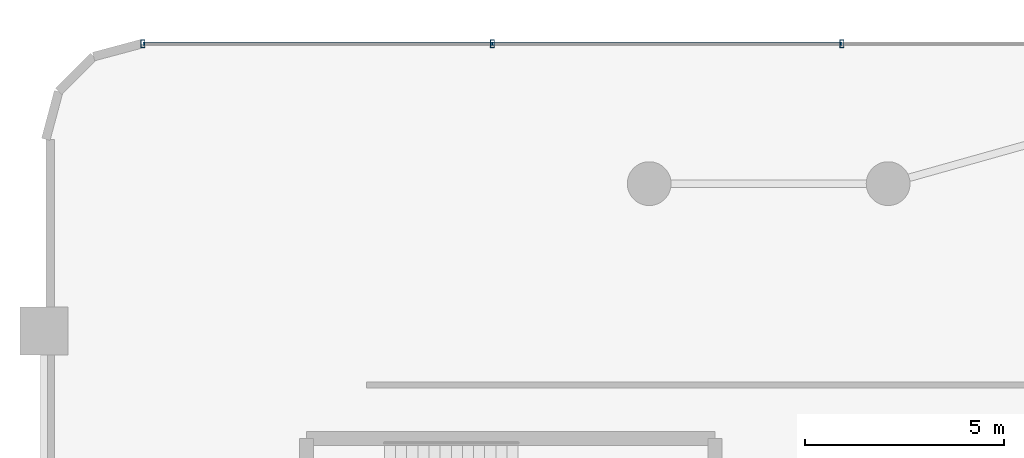
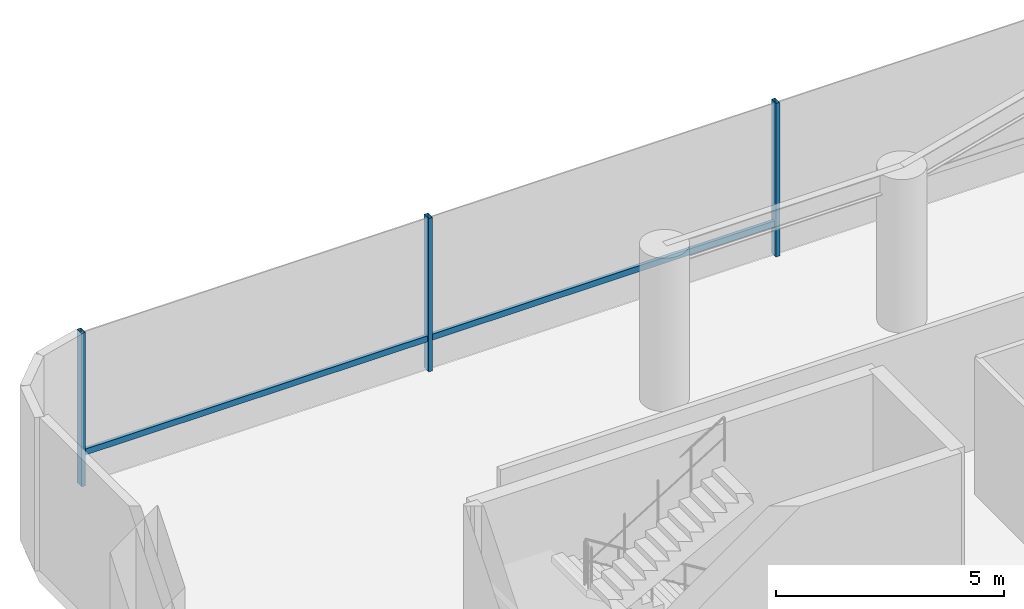
# One storey, part 9 of 23: 5 members, 1 element without a shape of its own.
"""IFC4 building model written with IfcOpenShell, lengths in metres."""

from ifc_helpers import new_model, si_unit, direction, frame, origin, origin_2d, place, context, subcontext, project, spatial, hollow_rectangle, extrude, source, transform, mapped, material, material_profile, profile_set, type_object, element, aggregate, save


model = new_model("IFC4")

# Units and contexts
model_context = context("Model", 3, precision=1e-05, world=origin(), true_north=direction((0.0, 1.0)))
body_context = subcontext(model_context, "Body", "Model", "MODEL_VIEW")
ifc_project = project(units=[si_unit("LENGTHUNIT", "METRE"), si_unit("AREAUNIT", "SQUARE_METRE"), si_unit("VOLUMEUNIT", "CUBIC_METRE"), si_unit("PLANEANGLEUNIT", "RADIAN"), si_unit("MASSUNIT", "GRAM", prefix="KILO")], contexts=[model_context])

# Site, building, storey
site_placement = place(None, origin())
site = spatial("IfcSite", under=ifc_project, at=site_placement, CompositionType="ELEMENT")
building_placement = place(site_placement, origin())
building = spatial("IfcBuilding", under=site, at=building_placement, Name="Sahyath Konkavel Grand Hotel", CompositionType="ELEMENT")
storey_placement = place(building_placement, frame((0.0, 0.0, 4.800048828125)))
storey = spatial("IfcBuildingStorey", under=building, at=storey_placement, Name="L01", CompositionType="ELEMENT", Elevation=4.800048828125)

# Curtain wall, members
ifc_material_1 = material(Name="Anodised Bronze Aluminium & Low-E Glazing", Category="aluminium")
curtain_wall_type = type_object("IfcCurtainWallType", Name="CW-PODIUM", PredefinedType="NOTDEFINED", material=ifc_material_1)
curtain_wall_placement = place(storey_placement, origin())
curtain_wall = element("IfcCurtainWall", 1, at=curtain_wall_placement, inside=storey, type_object=curtain_wall_type, Name="L01 Unitised Curtain Wall N", PredefinedType="NOTDEFINED")
ifc_material_2 = material(Name="Anodised Bronze Aluminium", Category="aluminium")
ifc_material_profile_1 = material_profile(ifc_material_2, hollow_rectangle(XDim=0.10009765625, YDim=0.199951171875, WallThickness=0.008056640625, at=origin_2d()), Name="RHS 200x100x8")
ifc_profile_set_1 = profile_set([ifc_material_profile_1], Name="Anodised Bronze Aluminium")
member_type_1 = type_object("IfcMemberType", Name="CW-MUL-200", PredefinedType="MULLION", material=ifc_profile_set_1)
shared_shape_1 = source(origin(), body_context, "Body", "SweptSolid", [
    extrude(hollow_rectangle(XDim=0.10009765625, YDim=0.199951171875, WallThickness=0.008056640625, at=origin_2d()), origin(), (0.0, 0.0, 1.0), 4.099853515625),
])
member_1_placement = place(storey_placement, frame((-13.162353515625, 24.012939453125, 0.0), z_axis=(0.0, 0.0, 1.0), x_axis=(1.0, 0.0, 0.0)))
member_1 = element("IfcMember", 2, at=member_1_placement, type_object=member_type_1, Name="L01 Curtain Wall Mullion N-5", PredefinedType="MULLION", context=body_context, shape_type="MappedRepresentation", body=[
    mapped(shared_shape_1, transform((0.0, 0.0, 0.0), scale=1.0)),
])
member_2_placement = place(storey_placement, frame((-21.93701171875, 24.012939453125, 0.0), z_axis=(0.0, 0.0, 1.0), x_axis=(1.0, 0.0, 0.0)))
member_2 = element("IfcMember", 3, at=member_2_placement, type_object=member_type_1, Name="L01 Curtain Wall Mullion N-6", PredefinedType="MULLION", context=body_context, shape_type="MappedRepresentation", body=[
    mapped(shared_shape_1, transform((0.0, 0.0, 0.0), scale=1.0)),
])
member_3_placement = place(storey_placement, frame((-30.7119140625, 24.012939453125, 0.0), z_axis=(0.0, 0.0, 1.0), x_axis=(1.0, 0.0, 0.0)))
member_3 = element("IfcMember", 4, at=member_3_placement, type_object=member_type_1, Name="L01 Curtain Wall Mullion N-7", PredefinedType="MULLION", context=body_context, shape_type="MappedRepresentation", body=[
    mapped(shared_shape_1, transform((0.0, 0.0, 0.0), scale=1.0)),
])
ifc_material_profile_2 = material_profile(ifc_material_2, hollow_rectangle(XDim=0.080078125, YDim=0.159912109375, WallThickness=0.006103515625, at=origin_2d()), Name="RHS 160x80x6")
ifc_profile_set_2 = profile_set([ifc_material_profile_2], Name="Anodised Bronze Aluminium")
member_type_2 = type_object("IfcMemberType", Name="CW-TRN-160", PredefinedType="USERDEFINED", material=ifc_profile_set_2)
shared_shape_2 = source(origin(), body_context, "Body", "SweptSolid", [
    extrude(hollow_rectangle(XDim=0.080078125, YDim=0.159912109375, WallThickness=0.006103515625, at=origin_2d()), origin(), (0.0, 0.0, 1.0), 8.77490234375),
])
member_4_placement = place(storey_placement, frame((-21.93701171875, 24.012939453125, 0.849853515625), z_axis=(-1.0, 0.0, 0.0), x_axis=(0.0, -1.0, 0.0)))
member_4 = element("IfcMember", 5, at=member_4_placement, type_object=member_type_2, Name="L01 Curtain Wall Transom N-6-spandrel", ObjectType="TRANSOM", PredefinedType="USERDEFINED", context=body_context, shape_type="MappedRepresentation", body=[
    mapped(shared_shape_2, transform((0.0, 0.0, 0.0), scale=1.0)),
])
shared_shape_3 = source(origin(), body_context, "Body", "SweptSolid", [
    extrude(hollow_rectangle(XDim=0.080078125, YDim=0.159912109375, WallThickness=0.006103515625, at=origin_2d()), origin(), (0.0, 0.0, 1.0), 8.774658203125),
])
member_5_placement = place(storey_placement, frame((-13.162353515625, 24.012939453125, 0.849853515625), z_axis=(-1.0, 0.0, 0.0), x_axis=(0.0, -1.0, 0.0)))
member_5 = element("IfcMember", 6, at=member_5_placement, type_object=member_type_2, Name="L01 Curtain Wall Transom N-5-spandrel", ObjectType="TRANSOM", PredefinedType="USERDEFINED", context=body_context, shape_type="MappedRepresentation", body=[
    mapped(shared_shape_3, transform((0.0, 0.0, 0.0), scale=1.0)),
])
aggregate(curtain_wall, [member_1, member_2, member_3, member_5, member_4])

save(model, "model.ifc")
